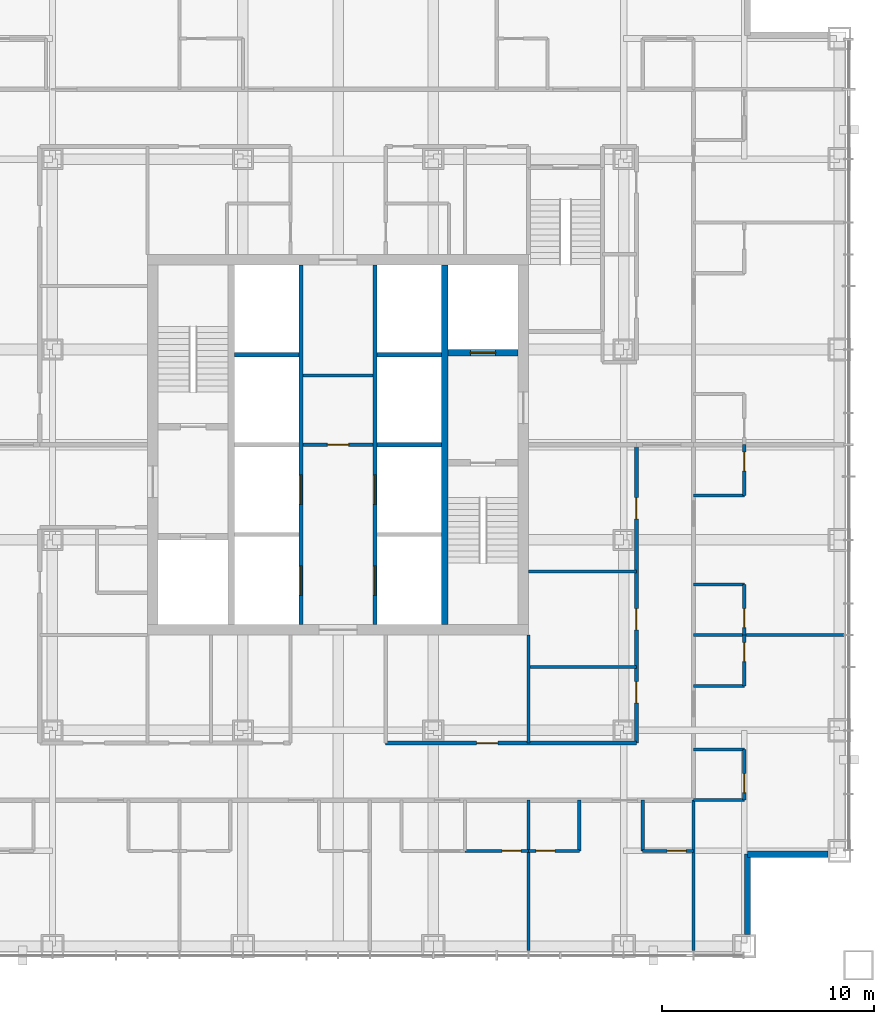
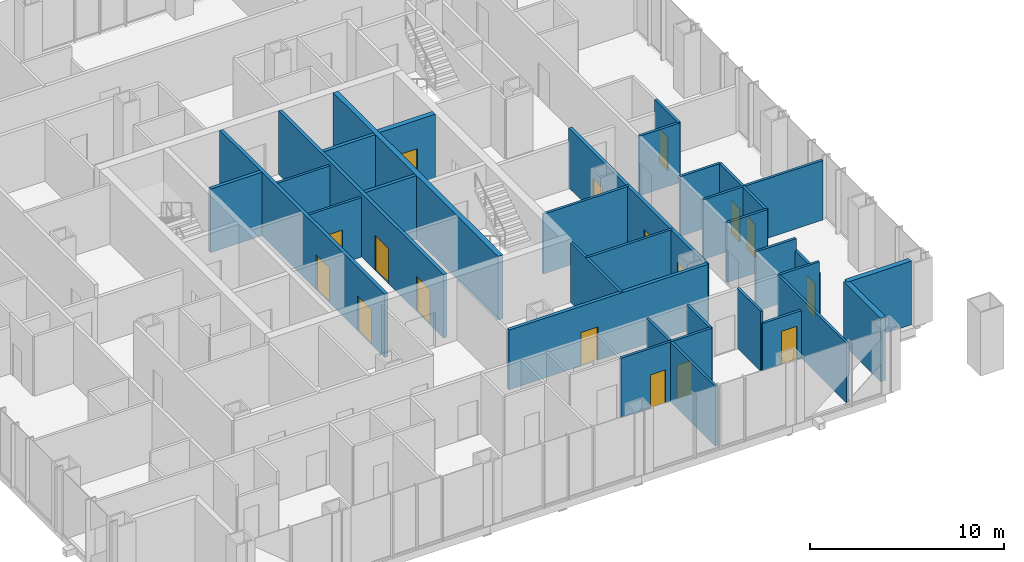
# One storey, part 10 of 18: 33 walls, 17 doors, 17 openings.
"""IFC4 building model written with IfcOpenShell, lengths in metres."""

from ifc_helpers import new_model, si_unit, direction, frame, frame_2d, origin, place, context, subcontext, project, spatial, rectangle, extrude, material, layer, layer_set, type_object, element, fill, save


model = new_model("IFC4")

# Units and contexts
model_context = context("Model", 3, precision=1e-05, world=origin(), true_north=direction((0.0, 1.0)))
body_context = subcontext(model_context, "Body", "Model", "MODEL_VIEW")
ifc_project = project(units=[si_unit("LENGTHUNIT", "METRE"), si_unit("AREAUNIT", "SQUARE_METRE"), si_unit("VOLUMEUNIT", "CUBIC_METRE"), si_unit("PLANEANGLEUNIT", "RADIAN"), si_unit("MASSUNIT", "GRAM", prefix="KILO")], contexts=[model_context])

# Site, building, storey
site_placement = place(None, origin())
site = spatial("IfcSite", under=ifc_project, at=site_placement, CompositionType="ELEMENT")
building_placement = place(site_placement, origin())
building = spatial("IfcBuilding", under=site, at=building_placement, Name="Malebo Sky Hospital", CompositionType="ELEMENT")
storey_placement = place(building_placement, frame((0.0, 0.0, 132.0)))
storey = spatial("IfcBuildingStorey", under=building, at=storey_placement, Name="L31", CompositionType="ELEMENT", Elevation=132.0)

# Wall, openings, doors
ifc_material_1 = material(Name="Concrete C80/95", Category="concrete")
ifc_layer_1 = layer(ifc_material_1, 0.199951171875)
ifc_layer_set_1 = layer_set([ifc_layer_1], Name="CORE INNER WALL 200")
wall_type_1 = type_object("IfcWallType", Name="CORE INNER WALL 200", PredefinedType="SHEAR", material=ifc_layer_set_1)
wall_1_placement = place(storey_placement, frame((58.25, 53.5, 0.0), z_axis=(0.0, 0.0, 1.0), x_axis=(0.0, 1.0, 0.0)))
wall_1 = element("IfcWall", 1, at=wall_1_placement, inside=storey, type_object=wall_type_1, Name="Core wall LW L31", PredefinedType="SHEAR", context=body_context, shape_type="SweptSolid", body=[
    extrude(rectangle(XDim=17.0, YDim=0.199951171875, at=frame_2d((8.5, 0.0))), origin(), (0.0, 0.0, 1.0), 4.0),
])
opening_1_placement = place(wall_1_placement, frame((1.375, 0.0, 0.0)))
opening_1 = element("IfcOpeningElement", 2, at=opening_1_placement, cuts=wall_1, Name="Opening LD1", PredefinedType="OPENING", context=body_context, shape_type="SweptSolid", body=[
    extrude(rectangle(XDim=1.39990234375, YDim=2.199951171875, at=frame_2d((0.699951171875, 1.10009765625))), frame((0.0, 0.10986328125, 0.0), z_axis=(0.0, -1.0, 0.0), x_axis=(1.0, 0.0, 0.0)), (0.0, 0.0, 1.0), 0.219970703125),
])
opening_2_placement = place(wall_1_placement, frame((5.675048828125, 0.0, 0.0)))
opening_2 = element("IfcOpeningElement", 3, at=opening_2_placement, cuts=wall_1, Name="Opening LD1", PredefinedType="OPENING", context=body_context, shape_type="SweptSolid", body=[
    extrude(rectangle(XDim=1.39990234375, YDim=2.199951171875, at=frame_2d((0.699951171875, 1.10009765625))), frame((0.0, 0.10986328125, 0.0), z_axis=(0.0, -1.0, 0.0), x_axis=(1.0, 0.0, 0.0)), (0.0, 0.0, 1.0), 0.219970703125),
])
ifc_material_2 = material(Name="Stainless steel sliding landing door", Category="steel")
door_type_1 = type_object("IfcDoorType", Name="LIFT LANDING DOOR 1400", OperationType="SLIDING_TO_LEFT", PredefinedType="DOOR", material=ifc_material_2)
door_1_placement = place(opening_1_placement, origin())
door_1 = element("IfcDoor", 4, at=door_1_placement, inside=storey, type_object=door_type_1, Name="Lift W1 landing door", OperationType="SLIDING_TO_LEFT", OverallHeight=2.199951171875, OverallWidth=1.39990234375, PredefinedType="DOOR", context=body_context, shape_type="SweptSolid", body=[
    extrude(rectangle(XDim=1.39990234375, YDim=2.199951171875, at=frame_2d((0.699951171875, 1.10009765625))), frame((0.0, 0.02490234375, 0.0), z_axis=(0.0, -1.0, 0.0), x_axis=(1.0, 0.0, 0.0)), (0.0, 0.0, 1.0), 0.050048828125),
])
fill(opening_1, door_1)
door_2_placement = place(opening_2_placement, origin())
door_2 = element("IfcDoor", 5, at=door_2_placement, inside=storey, type_object=door_type_1, Name="Lift W2 landing door", OperationType="SLIDING_TO_LEFT", OverallHeight=2.199951171875, OverallWidth=1.39990234375, PredefinedType="DOOR", context=body_context, shape_type="SweptSolid", body=[
    extrude(rectangle(XDim=1.39990234375, YDim=2.199951171875, at=frame_2d((0.699951171875, 1.10009765625))), frame((0.0, 0.02490234375, 0.0), z_axis=(0.0, -1.0, 0.0), x_axis=(1.0, 0.0, 0.0)), (0.0, 0.0, 1.0), 0.050048828125),
])
fill(opening_2, door_2)

wall_2_placement = place(storey_placement, frame((61.75, 53.5, 0.0), z_axis=(0.0, 0.0, 1.0), x_axis=(0.0, 1.0, 0.0)))
wall_2 = element("IfcWall", 6, at=wall_2_placement, inside=storey, type_object=wall_type_1, Name="Core wall LE L31", PredefinedType="SHEAR", context=body_context, shape_type="SweptSolid", body=[
    extrude(rectangle(XDim=17.0, YDim=0.199951171875, at=frame_2d((8.5, 0.0))), origin(), (0.0, 0.0, 1.0), 4.0),
])
opening_3_placement = place(wall_2_placement, frame((1.375, 0.0, 0.0)))
opening_3 = element("IfcOpeningElement", 7, at=opening_3_placement, cuts=wall_2, Name="Opening LD1", PredefinedType="OPENING", context=body_context, shape_type="SweptSolid", body=[
    extrude(rectangle(XDim=1.39990234375, YDim=2.199951171875, at=frame_2d((0.699951171875, 1.10009765625))), frame((0.0, 0.10986328125, 0.0), z_axis=(0.0, -1.0, 0.0), x_axis=(1.0, 0.0, 0.0)), (0.0, 0.0, 1.0), 0.219970703125),
])
opening_4_placement = place(wall_2_placement, frame((5.675048828125, 0.0, 0.0)))
opening_4 = element("IfcOpeningElement", 8, at=opening_4_placement, cuts=wall_2, Name="Opening LD1", PredefinedType="OPENING", context=body_context, shape_type="SweptSolid", body=[
    extrude(rectangle(XDim=1.39990234375, YDim=2.199951171875, at=frame_2d((0.699951171875, 1.10009765625))), frame((0.0, 0.10986328125, 0.0), z_axis=(0.0, -1.0, 0.0), x_axis=(1.0, 0.0, 0.0)), (0.0, 0.0, 1.0), 0.219970703125),
])
door_3_placement = place(opening_3_placement, origin())
door_3 = element("IfcDoor", 9, at=door_3_placement, inside=storey, type_object=door_type_1, Name="Lift E1 landing door", OperationType="SLIDING_TO_LEFT", OverallHeight=2.199951171875, OverallWidth=1.39990234375, PredefinedType="DOOR", context=body_context, shape_type="SweptSolid", body=[
    extrude(rectangle(XDim=1.39990234375, YDim=2.199951171875, at=frame_2d((0.699951171875, 1.10009765625))), frame((0.0, 0.02490234375, 0.0), z_axis=(0.0, -1.0, 0.0), x_axis=(1.0, 0.0, 0.0)), (0.0, 0.0, 1.0), 0.050048828125),
])
fill(opening_3, door_3)
door_4_placement = place(opening_4_placement, origin())
door_4 = element("IfcDoor", 10, at=door_4_placement, inside=storey, type_object=door_type_1, Name="Lift E2 landing door", OperationType="SLIDING_TO_LEFT", OverallHeight=2.199951171875, OverallWidth=1.39990234375, PredefinedType="DOOR", context=body_context, shape_type="SweptSolid", body=[
    extrude(rectangle(XDim=1.39990234375, YDim=2.199951171875, at=frame_2d((0.699951171875, 1.10009765625))), frame((0.0, 0.02490234375, 0.0), z_axis=(0.0, -1.0, 0.0), x_axis=(1.0, 0.0, 0.0)), (0.0, 0.0, 1.0), 0.050048828125),
])
fill(opening_4, door_4)

# Walls
for number, where, z_axis, x_axis, name in (
    (11, (61.85009765625, 62.0, 0.0), (0.0, 0.0, 1.0), (1.0, 0.0, 0.0), "Core wall SE1 L31"),
    (12, (55.10009765625, 66.25, 0.0), (0.0, 0.0, 1.0), (1.0, 0.0, 0.0), "Core wall SW2 L31"),
    (13, (61.85009765625, 66.25, 0.0), (0.0, 0.0, 1.0), (1.0, 0.0, 0.0), "Core wall SE2 L31"),
):
    element("IfcWall", number, at=place(storey_placement, frame(where, z_axis=z_axis, x_axis=x_axis)), inside=storey, type_object=wall_type_1, Name=name, PredefinedType="SHEAR", context=body_context, shape_type="SweptSolid", body=[
        extrude(rectangle(XDim=3.0498046875, YDim=0.199951171875, at=frame_2d((1.52490234375, 0.0))), origin(), (0.0, 0.0, 1.0), 4.0),
    ])
ifc_layer_2 = layer(ifc_material_1, 0.300048828125)
ifc_layer_set_2 = layer_set([ifc_layer_2], Name="CORE INNER WALL 300")
wall_type_2 = type_object("IfcWallType", Name="CORE INNER WALL 300", PredefinedType="SHEAR", material=ifc_layer_set_2)
wall_3_placement = place(storey_placement, frame((65.050048828125, 53.5, 0.0), z_axis=(0.0, 0.0, 1.0), x_axis=(0.0, 1.0, 0.0)))
element("IfcWall", 14, at=wall_3_placement, inside=storey, type_object=wall_type_2, Name="Core wall XE L31", PredefinedType="SHEAR", context=body_context, shape_type="SweptSolid", body=[
    extrude(rectangle(XDim=17.0, YDim=0.300048828125, at=frame_2d((8.5, 0.0))), origin(), (0.0, 0.0, 1.0), 4.0),
])

# Wall, opening, door
wall_4_placement = place(storey_placement, frame((65.199951171875, 66.35009765625, 0.0), z_axis=(0.0, 0.0, 1.0), x_axis=(1.0, 0.0, 0.0)))
wall_4 = element("IfcWall", 15, at=wall_4_placement, inside=storey, type_object=wall_type_2, Name="Core wall E2 L31", PredefinedType="SHEAR", context=body_context, shape_type="SweptSolid", body=[
    extrude(rectangle(XDim=3.300048828125, YDim=0.300048828125, at=frame_2d((1.64990234375, 0.0))), origin(), (0.0, 0.0, 1.0), 4.0),
])
opening_5_placement = place(wall_4_placement, frame((1.050048828125, 0.0, 0.0)))
opening_5 = element("IfcOpeningElement", 16, at=opening_5_placement, cuts=wall_4, Name="Opening LD2", PredefinedType="OPENING", context=body_context, shape_type="SweptSolid", body=[
    extrude(rectangle(XDim=1.199951171875, YDim=2.199951171875, at=frame_2d((0.60009765625, 1.10009765625))), frame((0.0, 0.159912109375, 0.0), z_axis=(0.0, -1.0, 0.0), x_axis=(1.0, 0.0, 0.0)), (0.0, 0.0, 1.0), 0.320068359375),
])
door_type_2 = type_object("IfcDoorType", Name="FIRE-FIGHTING LIFT LANDING DOOR 1200", OperationType="SLIDING_TO_LEFT", PredefinedType="DOOR", material=ifc_material_2)
door_5_placement = place(opening_5_placement, origin())
door_5 = element("IfcDoor", 17, at=door_5_placement, inside=storey, type_object=door_type_2, Name="Lift FL2 landing door", OperationType="SLIDING_TO_LEFT", OverallHeight=2.199951171875, OverallWidth=1.199951171875, PredefinedType="DOOR", context=body_context, shape_type="SweptSolid", body=[
    extrude(rectangle(XDim=1.199951171875, YDim=2.199951171875, at=frame_2d((0.60009765625, 1.10009765625))), frame((0.0, 0.02490234375, 0.0), z_axis=(0.0, -1.0, 0.0), x_axis=(1.0, 0.0, 0.0)), (0.0, 0.0, 1.0), 0.050048828125),
])
fill(opening_5, door_5)

ifc_material_3 = material(Name="Gypsum board on steel studs", Category="steel")
ifc_layer_3 = layer(ifc_material_3, 0.199951171875)
ifc_layer_set_3 = layer_set([ifc_layer_3], Name="CORRIDOR WALL 200")
wall_type_3 = type_object("IfcWallType", Name="CORRIDOR WALL 200", PredefinedType="PARTITIONING", material=ifc_layer_set_3)
wall_5_placement = place(storey_placement, frame((74.10009765625, 47.89990234375, 0.0), z_axis=(0.0, 0.0, 1.0), x_axis=(-1.0, 0.0, 0.0)))
wall_5 = element("IfcWall", 18, at=wall_5_placement, inside=storey, type_object=wall_type_3, Name="Corridor Wall 200 SCI1", PredefinedType="PARTITIONING", context=body_context, shape_type="SweptSolid", body=[
    extrude(rectangle(XDim=11.85009765625, YDim=0.199951171875, at=frame_2d((5.925048828125, 0.0))), origin(), (0.0, 0.0, 1.0), 3.75),
])
opening_6_placement = place(wall_5_placement, frame((6.550048828125, 0.0, 0.0)))
opening_6 = element("IfcOpeningElement", 19, at=opening_6_placement, cuts=wall_5, Name="Opening D03", PredefinedType="OPENING", context=body_context, shape_type="SweptSolid", body=[
    extrude(rectangle(XDim=1.0, YDim=2.10009765625, at=frame_2d((0.5, 1.050048828125))), frame((0.0, 0.10986328125, 0.0), z_axis=(0.0, -1.0, 0.0), x_axis=(1.0, 0.0, 0.0)), (0.0, 0.0, 1.0), 0.219970703125),
])
ifc_material_4 = material(Name="Hardwood-faced door leaf in steel frame", Category="steel")
door_type_3 = type_object("IfcDoorType", Name="ROOM DOOR 1000", OperationType="SINGLE_SWING_LEFT", PredefinedType="DOOR", material=ifc_material_4)
door_6_placement = place(opening_6_placement, origin())
door_6 = element("IfcDoor", 20, at=door_6_placement, inside=storey, type_object=door_type_3, Name="Staff rest room door", OperationType="SINGLE_SWING_LEFT", OverallHeight=2.10009765625, OverallWidth=1.0, PredefinedType="DOOR", context=body_context, shape_type="SweptSolid", body=[
    extrude(rectangle(XDim=1.0, YDim=2.10009765625, at=frame_2d((0.5, 1.050048828125))), frame((0.0, 0.02490234375, 0.0), z_axis=(0.0, -1.0, 0.0), x_axis=(1.0, 0.0, 0.0)), (0.0, 0.0, 1.0), 0.050048828125),
])
fill(opening_6, door_6)

# Wall, openings, doors
wall_6_placement = place(storey_placement, frame((74.10009765625, 62.0, 0.0), z_axis=(0.0, 0.0, 1.0), x_axis=(0.0, -1.0, 0.0)))
wall_6 = element("IfcWall", 21, at=wall_6_placement, inside=storey, type_object=wall_type_3, Name="Corridor Wall 200 ECI2", PredefinedType="PARTITIONING", context=body_context, shape_type="SweptSolid", body=[
    extrude(rectangle(XDim=14.10009765625, YDim=0.199951171875, at=frame_2d((7.050048828125, 0.0))), origin(), (0.0, 0.0, 1.0), 3.75),
])
opening_7_placement = place(wall_6_placement, frame((2.5, 0.0, 0.0)))
opening_7 = element("IfcOpeningElement", 22, at=opening_7_placement, cuts=wall_6, Name="Opening D03", PredefinedType="OPENING", context=body_context, shape_type="SweptSolid", body=[
    extrude(rectangle(XDim=1.0, YDim=2.10009765625, at=frame_2d((0.5, 1.050048828125))), frame((0.0, 0.10986328125, 0.0), z_axis=(0.0, -1.0, 0.0), x_axis=(1.0, 0.0, 0.0)), (0.0, 0.0, 1.0), 0.219970703125),
])
opening_8_placement = place(wall_6_placement, frame((7.75, 0.0, 0.0)))
opening_8 = element("IfcOpeningElement", 23, at=opening_8_placement, cuts=wall_6, Name="Opening D03", PredefinedType="OPENING", context=body_context, shape_type="SweptSolid", body=[
    extrude(rectangle(XDim=1.0, YDim=2.10009765625, at=frame_2d((0.5, 1.050048828125))), frame((0.0, 0.10986328125, 0.0), z_axis=(0.0, -1.0, 0.0), x_axis=(1.0, 0.0, 0.0)), (0.0, 0.0, 1.0), 0.219970703125),
])
opening_9_placement = place(wall_6_placement, frame((11.199951171875, 0.0, 0.0)))
opening_9 = element("IfcOpeningElement", 24, at=opening_9_placement, cuts=wall_6, Name="Opening D03", PredefinedType="OPENING", context=body_context, shape_type="SweptSolid", body=[
    extrude(rectangle(XDim=1.0, YDim=2.10009765625, at=frame_2d((0.5, 1.050048828125))), frame((0.0, 0.10986328125, 0.0), z_axis=(0.0, -1.0, 0.0), x_axis=(1.0, 0.0, 0.0)), (0.0, 0.0, 1.0), 0.219970703125),
])
door_7_placement = place(opening_7_placement, origin())
door_7 = element("IfcDoor", 25, at=door_7_placement, inside=storey, type_object=door_type_3, Name="Water treatment plant room door", OperationType="SINGLE_SWING_LEFT", OverallHeight=2.10009765625, OverallWidth=1.0, PredefinedType="DOOR", context=body_context, shape_type="SweptSolid", body=[
    extrude(rectangle(XDim=1.0, YDim=2.10009765625, at=frame_2d((0.5, 1.050048828125))), frame((0.0, 0.02490234375, 0.0), z_axis=(0.0, -1.0, 0.0), x_axis=(1.0, 0.0, 0.0)), (0.0, 0.0, 1.0), 0.050048828125),
])
fill(opening_7, door_7)
door_8_placement = place(opening_8_placement, origin())
door_8 = element("IfcDoor", 26, at=door_8_placement, inside=storey, type_object=door_type_3, Name="Staff base door", OperationType="SINGLE_SWING_LEFT", OverallHeight=2.10009765625, OverallWidth=1.0, PredefinedType="DOOR", context=body_context, shape_type="SweptSolid", body=[
    extrude(rectangle(XDim=1.0, YDim=2.10009765625, at=frame_2d((0.5, 1.050048828125))), frame((0.0, 0.02490234375, 0.0), z_axis=(0.0, -1.0, 0.0), x_axis=(1.0, 0.0, 0.0)), (0.0, 0.0, 1.0), 0.050048828125),
])
fill(opening_8, door_8)
door_9_placement = place(opening_9_placement, origin())
door_9 = element("IfcDoor", 27, at=door_9_placement, inside=storey, type_object=door_type_3, Name="Dirty utility room door", OperationType="SINGLE_SWING_LEFT", OverallHeight=2.10009765625, OverallWidth=1.0, PredefinedType="DOOR", context=body_context, shape_type="SweptSolid", body=[
    extrude(rectangle(XDim=1.0, YDim=2.10009765625, at=frame_2d((0.5, 1.050048828125))), frame((0.0, 0.02490234375, 0.0), z_axis=(0.0, -1.0, 0.0), x_axis=(1.0, 0.0, 0.0)), (0.0, 0.0, 1.0), 0.050048828125),
])
fill(opening_9, door_9)

# Walls
ifc_material_5 = material(Name="Anodised aluminium rainscreen on steel framing", Category="steel")
ifc_layer_4 = layer(ifc_material_5, 0.300048828125)
ifc_layer_set_4 = layer_set([ifc_layer_4], Name="NOTCH RAINSCREEN WALL 300")
wall_type_4 = type_object("IfcWallType", Name="NOTCH RAINSCREEN WALL 300", PredefinedType="ELEMENTEDWALL", material=ifc_layer_set_4)
for number, where, z_axis, x_axis, name in (
    (28, (83.14990234375, 42.64990234375, 0.0), (0.0, 0.0, 1.0), (-1.0, 0.0, 0.0), "Notch rainscreen wall E1 L31"),
    (29, (79.35009765625, 42.64990234375, 0.0), (0.0, 0.0, 1.0), (0.0, -1.0, 0.0), "Notch rainscreen wall E2 L31"),
):
    element("IfcWall", number, at=place(storey_placement, frame(where, z_axis=z_axis, x_axis=x_axis)), inside=storey, type_object=wall_type_4, Name=name, PredefinedType="ELEMENTEDWALL", context=body_context, shape_type="SweptSolid", body=[
        extrude(rectangle(XDim=3.7998046875, YDim=0.300048828125, at=frame_2d((1.89990234375, 0.0))), origin(), (0.0, 0.0, 1.0), 4.0),
    ])
ifc_layer_5 = layer(ifc_material_3, 0.14990234375)
ifc_layer_set_5 = layer_set([ifc_layer_5], Name="PARTITION 150")
wall_type_5 = type_object("IfcWallType", Name="PARTITION 150", PredefinedType="PARTITIONING", material=ifc_layer_set_5)
for number, where, z_axis, x_axis, name in (
    (30, (69.0, 45.199951171875, 0.0), (0.0, 0.0, 1.0), (0.0, -1.0, 0.0), "Partition 150 SP-9.0"),
    (31, (76.800048828125, 45.199951171875, 0.0), (0.0, 0.0, 1.0), (0.0, -1.0, 0.0), "Partition 150 SP0"),
):
    element("IfcWall", number, at=place(storey_placement, frame(where, z_axis=z_axis, x_axis=x_axis)), inside=storey, type_object=wall_type_5, Name=name, PredefinedType="PARTITIONING", context=body_context, shape_type="SweptSolid", body=[
        extrude(rectangle(XDim=7.10986328125, YDim=0.14990234375, at=frame_2d((3.554931640625, 0.0))), origin(), (0.0, 0.0, 1.0), 3.75),
    ])

# Wall, opening, door
wall_7_placement = place(storey_placement, frame((76.800048828125, 42.800048828125, 0.0), z_axis=(0.0, 0.0, 1.0), x_axis=(-1.0, 0.0, 0.0)))
wall_7 = element("IfcWall", 32, at=wall_7_placement, inside=storey, type_object=wall_type_5, Name="Partition 150 SE0F", PredefinedType="PARTITIONING", context=body_context, shape_type="SweptSolid", body=[
    extrude(rectangle(XDim=2.400146484375, YDim=0.14990234375, at=frame_2d((1.2001953125, 0.0))), origin(), (0.0, 0.0, 1.0), 2.9970703125),
])
opening_10_placement = place(wall_7_placement, frame((0.35009765625, 0.0, 0.0)))
opening_10 = element("IfcOpeningElement", 33, at=opening_10_placement, cuts=wall_7, Name="Opening D02", PredefinedType="OPENING", context=body_context, shape_type="SweptSolid", body=[
    extrude(rectangle(XDim=0.89990234375, YDim=2.10009765625, at=frame_2d((0.449951171875, 1.050048828125))), frame((0.0, 0.0849609375, 0.0), z_axis=(0.0, -1.0, 0.0), x_axis=(1.0, 0.0, 0.0)), (0.0, 0.0, 1.0), 0.169921875),
])
door_type_4 = type_object("IfcDoorType", Name="EN-SUITE DOOR 900", OperationType="SINGLE_SWING_LEFT", PredefinedType="DOOR", material=ifc_material_4)
door_10_placement = place(opening_10_placement, origin())
door_10 = element("IfcDoor", 34, at=door_10_placement, inside=storey, type_object=door_type_4, Name="En-suite door", OperationType="SINGLE_SWING_LEFT", OverallHeight=2.10009765625, OverallWidth=0.89990234375, PredefinedType="DOOR", context=body_context, shape_type="SweptSolid", body=[
    extrude(rectangle(XDim=0.89990234375, YDim=2.10009765625, at=frame_2d((0.449951171875, 1.050048828125))), frame((0.0, 0.02490234375, 0.0), z_axis=(0.0, -1.0, 0.0), x_axis=(1.0, 0.0, 0.0)), (0.0, 0.0, 1.0), 0.050048828125),
])
fill(opening_10, door_10)

# Wall
wall_8_placement = place(storey_placement, frame((74.39990234375, 45.199951171875, 0.0), z_axis=(0.0, 0.0, 1.0), x_axis=(0.0, -1.0, 0.0)))
element("IfcWall", 35, at=wall_8_placement, inside=storey, type_object=wall_type_5, Name="Partition 150 SE0S", PredefinedType="PARTITIONING", context=body_context, shape_type="SweptSolid", body=[
    extrude(rectangle(XDim=2.39990234375, YDim=0.14990234375, at=frame_2d((1.199951171875, 0.0))), origin(), (0.0, 0.0, 1.0), 3.75),
])

# Wall, opening, door
wall_9_placement = place(storey_placement, frame((71.39990234375, 42.800048828125, 0.0), z_axis=(0.0, 0.0, 1.0), x_axis=(-1.0, 0.0, 0.0)))
wall_9 = element("IfcWall", 36, at=wall_9_placement, inside=storey, type_object=wall_type_5, Name="Partition 150 SG0F", PredefinedType="PARTITIONING", context=body_context, shape_type="SweptSolid", body=[
    extrude(rectangle(XDim=2.39990234375, YDim=0.14990234375, at=frame_2d((1.199951171875, 0.0))), origin(), (0.0, 0.0, 1.0), 3.75),
])
opening_11_placement = place(wall_9_placement, frame((1.14990234375, 0.0, 0.0)))
opening_11 = element("IfcOpeningElement", 37, at=opening_11_placement, cuts=wall_9, Name="Opening D02", PredefinedType="OPENING", context=body_context, shape_type="SweptSolid", body=[
    extrude(rectangle(XDim=0.89990234375, YDim=2.10009765625, at=frame_2d((0.449951171875, 1.050048828125))), frame((0.0, 0.0849609375, 0.0), z_axis=(0.0, -1.0, 0.0), x_axis=(1.0, 0.0, 0.0)), (0.0, 0.0, 1.0), 0.169921875),
])
door_11_placement = place(opening_11_placement, origin())
door_11 = element("IfcDoor", 38, at=door_11_placement, inside=storey, type_object=door_type_4, Name="En-suite door", OperationType="SINGLE_SWING_RIGHT", OverallHeight=2.10009765625, OverallWidth=0.89990234375, PredefinedType="DOOR", context=body_context, shape_type="SweptSolid", body=[
    extrude(rectangle(XDim=0.89990234375, YDim=2.10009765625, at=frame_2d((0.449951171875, 1.050048828125))), frame((0.0, 0.02490234375, 0.0), z_axis=(0.0, -1.0, 0.0), x_axis=(1.0, 0.0, 0.0)), (0.0, 0.0, 1.0), 0.050048828125),
])
fill(opening_11, door_11)

# Wall
wall_10_placement = place(storey_placement, frame((71.39990234375, 45.199951171875, 0.0), z_axis=(0.0, 0.0, 1.0), x_axis=(0.0, -1.0, 0.0)))
element("IfcWall", 39, at=wall_10_placement, inside=storey, type_object=wall_type_5, Name="Partition 150 SG0S", PredefinedType="PARTITIONING", context=body_context, shape_type="SweptSolid", body=[
    extrude(rectangle(XDim=2.39990234375, YDim=0.14990234375, at=frame_2d((1.199951171875, 0.0))), origin(), (0.0, 0.0, 1.0), 3.75),
])

# Wall, opening, door
wall_11_placement = place(storey_placement, frame((69.0, 42.800048828125, 0.0), z_axis=(0.0, 0.0, 1.0), x_axis=(-1.0, 0.0, 0.0)))
wall_11 = element("IfcWall", 40, at=wall_11_placement, inside=storey, type_object=wall_type_5, Name="Partition 150 SE1F", PredefinedType="PARTITIONING", context=body_context, shape_type="SweptSolid", body=[
    extrude(rectangle(XDim=3.0, YDim=0.14990234375, at=frame_2d((1.5, 0.0))), origin(), (0.0, 0.0, 1.0), 3.75),
])
opening_12_placement = place(wall_11_placement, frame((0.35009765625, 0.0, 0.0)))
opening_12 = element("IfcOpeningElement", 41, at=opening_12_placement, cuts=wall_11, Name="Opening D02", PredefinedType="OPENING", context=body_context, shape_type="SweptSolid", body=[
    extrude(rectangle(XDim=0.89990234375, YDim=2.10009765625, at=frame_2d((0.449951171875, 1.050048828125))), frame((0.0, 0.0849609375, 0.0), z_axis=(0.0, -1.0, 0.0), x_axis=(1.0, 0.0, 0.0)), (0.0, 0.0, 1.0), 0.169921875),
])
door_12_placement = place(opening_12_placement, origin())
door_12 = element("IfcDoor", 42, at=door_12_placement, inside=storey, type_object=door_type_4, Name="En-suite door", OperationType="SINGLE_SWING_LEFT", OverallHeight=2.10009765625, OverallWidth=0.89990234375, PredefinedType="DOOR", context=body_context, shape_type="SweptSolid", body=[
    extrude(rectangle(XDim=0.89990234375, YDim=2.10009765625, at=frame_2d((0.449951171875, 1.050048828125))), frame((0.0, 0.02490234375, 0.0), z_axis=(0.0, -1.0, 0.0), x_axis=(1.0, 0.0, 0.0)), (0.0, 0.0, 1.0), 0.050048828125),
])
fill(opening_12, door_12)

# Walls
wall_12_placement = place(storey_placement, frame((69.0, 53.0, 0.0), z_axis=(0.0, 0.0, 1.0), x_axis=(0.0, -1.0, 0.0)))
element("IfcWall", 43, at=wall_12_placement, inside=storey, type_object=wall_type_5, Name="Partition 150 SSP0", PredefinedType="PARTITIONING", context=body_context, shape_type="SweptSolid", body=[
    extrude(rectangle(XDim=5.10009765625, YDim=0.14990234375, at=frame_2d((2.550048828125, 0.0))), origin(), (0.0, 0.0, 1.0), 3.75),
])
wall_13_placement = place(storey_placement, frame((76.800048828125, 53.0, 0.0), z_axis=(0.0, 0.0, 1.0), x_axis=(1.0, 0.0, 0.0)))
element("IfcWall", 44, at=wall_13_placement, inside=storey, type_object=wall_type_5, Name="Partition 150 EP+9.0", PredefinedType="PARTITIONING", context=body_context, shape_type="SweptSolid", body=[
    extrude(rectangle(XDim=7.10986328125, YDim=0.14990234375, at=frame_2d((3.554931640625, 0.0))), origin(), (0.0, 0.0, 1.0), 3.75),
])

# Wall, opening, door
wall_14_placement = place(storey_placement, frame((79.199951171875, 62.0, 0.0), z_axis=(0.0, 0.0, 1.0), x_axis=(0.0, -1.0, 0.0)))
wall_14 = element("IfcWall", 45, at=wall_14_placement, inside=storey, type_object=wall_type_5, Name="Partition 150 EE2F", PredefinedType="PARTITIONING", context=body_context, shape_type="SweptSolid", body=[
    extrude(rectangle(XDim=2.39990234375, YDim=0.14990234375, at=frame_2d((1.199951171875, 0.0))), origin(), (0.0, 0.0, 1.0), 3.75),
])
opening_13_placement = place(wall_14_placement, frame((0.35009765625, 0.0, 0.0)))
opening_13 = element("IfcOpeningElement", 46, at=opening_13_placement, cuts=wall_14, Name="Opening D02", PredefinedType="OPENING", context=body_context, shape_type="SweptSolid", body=[
    extrude(rectangle(XDim=0.89990234375, YDim=2.10009765625, at=frame_2d((0.449951171875, 1.050048828125))), frame((0.0, 0.0849609375, 0.0), z_axis=(0.0, -1.0, 0.0), x_axis=(1.0, 0.0, 0.0)), (0.0, 0.0, 1.0), 0.169921875),
])
door_13_placement = place(opening_13_placement, origin())
door_13 = element("IfcDoor", 47, at=door_13_placement, inside=storey, type_object=door_type_4, Name="En-suite door", OperationType="SINGLE_SWING_LEFT", OverallHeight=2.10009765625, OverallWidth=0.89990234375, PredefinedType="DOOR", context=body_context, shape_type="SweptSolid", body=[
    extrude(rectangle(XDim=0.89990234375, YDim=2.10009765625, at=frame_2d((0.449951171875, 1.050048828125))), frame((0.0, 0.02490234375, 0.0), z_axis=(0.0, -1.0, 0.0), x_axis=(1.0, 0.0, 0.0)), (0.0, 0.0, 1.0), 0.050048828125),
])
fill(opening_13, door_13)

# Wall
wall_15_placement = place(storey_placement, frame((76.800048828125, 59.60009765625, 0.0), z_axis=(0.0, 0.0, 1.0), x_axis=(1.0, 0.0, 0.0)))
element("IfcWall", 48, at=wall_15_placement, inside=storey, type_object=wall_type_5, Name="Partition 150 EE2S", PredefinedType="PARTITIONING", context=body_context, shape_type="SweptSolid", body=[
    extrude(rectangle(XDim=2.39990234375, YDim=0.14990234375, at=frame_2d((1.199951171875, 0.0))), origin(), (0.0, 0.0, 1.0), 3.75),
])

# Wall, opening, door
wall_16_placement = place(storey_placement, frame((79.199951171875, 55.39990234375, 0.0), z_axis=(0.0, 0.0, 1.0), x_axis=(0.0, -1.0, 0.0)))
wall_16 = element("IfcWall", 49, at=wall_16_placement, inside=storey, type_object=wall_type_5, Name="Partition 150 EG2F", PredefinedType="PARTITIONING", context=body_context, shape_type="SweptSolid", body=[
    extrude(rectangle(XDim=2.39990234375, YDim=0.14990234375, at=frame_2d((1.199951171875, 0.0))), origin(), (0.0, 0.0, 1.0), 3.75),
])
opening_14_placement = place(wall_16_placement, frame((1.14990234375, 0.0, 0.0)))
opening_14 = element("IfcOpeningElement", 50, at=opening_14_placement, cuts=wall_16, Name="Opening D02", PredefinedType="OPENING", context=body_context, shape_type="SweptSolid", body=[
    extrude(rectangle(XDim=0.89990234375, YDim=2.10009765625, at=frame_2d((0.449951171875, 1.050048828125))), frame((0.0, 0.0849609375, 0.0), z_axis=(0.0, -1.0, 0.0), x_axis=(1.0, 0.0, 0.0)), (0.0, 0.0, 1.0), 0.169921875),
])
door_14_placement = place(opening_14_placement, origin())
door_14 = element("IfcDoor", 51, at=door_14_placement, inside=storey, type_object=door_type_4, Name="En-suite door", OperationType="SINGLE_SWING_RIGHT", OverallHeight=2.10009765625, OverallWidth=0.89990234375, PredefinedType="DOOR", context=body_context, shape_type="SweptSolid", body=[
    extrude(rectangle(XDim=0.89990234375, YDim=2.10009765625, at=frame_2d((0.449951171875, 1.050048828125))), frame((0.0, 0.02490234375, 0.0), z_axis=(0.0, -1.0, 0.0), x_axis=(1.0, 0.0, 0.0)), (0.0, 0.0, 1.0), 0.050048828125),
])
fill(opening_14, door_14)

# Wall
wall_17_placement = place(storey_placement, frame((76.800048828125, 55.39990234375, 0.0), z_axis=(0.0, 0.0, 1.0), x_axis=(1.0, 0.0, 0.0)))
element("IfcWall", 52, at=wall_17_placement, inside=storey, type_object=wall_type_5, Name="Partition 150 EG2S", PredefinedType="PARTITIONING", context=body_context, shape_type="SweptSolid", body=[
    extrude(rectangle(XDim=2.39990234375, YDim=0.14990234375, at=frame_2d((1.199951171875, 0.0))), origin(), (0.0, 0.0, 1.0), 3.75),
])

# Wall, opening, door
wall_18_placement = place(storey_placement, frame((79.199951171875, 53.0, 0.0), z_axis=(0.0, 0.0, 1.0), x_axis=(0.0, -1.0, 0.0)))
wall_18 = element("IfcWall", 53, at=wall_18_placement, inside=storey, type_object=wall_type_5, Name="Partition 150 EE3F", PredefinedType="PARTITIONING", context=body_context, shape_type="SweptSolid", body=[
    extrude(rectangle(XDim=2.39990234375, YDim=0.14990234375, at=frame_2d((1.199951171875, 0.0))), origin(), (0.0, 0.0, 1.0), 3.75),
])
opening_15_placement = place(wall_18_placement, frame((0.35009765625, 0.0, 0.0)))
opening_15 = element("IfcOpeningElement", 54, at=opening_15_placement, cuts=wall_18, Name="Opening D02", PredefinedType="OPENING", context=body_context, shape_type="SweptSolid", body=[
    extrude(rectangle(XDim=0.89990234375, YDim=2.10009765625, at=frame_2d((0.449951171875, 1.050048828125))), frame((0.0, 0.0849609375, 0.0), z_axis=(0.0, -1.0, 0.0), x_axis=(1.0, 0.0, 0.0)), (0.0, 0.0, 1.0), 0.169921875),
])
door_15_placement = place(opening_15_placement, origin())
door_15 = element("IfcDoor", 55, at=door_15_placement, inside=storey, type_object=door_type_4, Name="En-suite door", OperationType="SINGLE_SWING_LEFT", OverallHeight=2.10009765625, OverallWidth=0.89990234375, PredefinedType="DOOR", context=body_context, shape_type="SweptSolid", body=[
    extrude(rectangle(XDim=0.89990234375, YDim=2.10009765625, at=frame_2d((0.449951171875, 1.050048828125))), frame((0.0, 0.02490234375, 0.0), z_axis=(0.0, -1.0, 0.0), x_axis=(1.0, 0.0, 0.0)), (0.0, 0.0, 1.0), 0.050048828125),
])
fill(opening_15, door_15)

# Wall
wall_19_placement = place(storey_placement, frame((76.800048828125, 50.60009765625, 0.0), z_axis=(0.0, 0.0, 1.0), x_axis=(1.0, 0.0, 0.0)))
element("IfcWall", 56, at=wall_19_placement, inside=storey, type_object=wall_type_5, Name="Partition 150 EE3S", PredefinedType="PARTITIONING", context=body_context, shape_type="SweptSolid", body=[
    extrude(rectangle(XDim=2.39990234375, YDim=0.14990234375, at=frame_2d((1.199951171875, 0.0))), origin(), (0.0, 0.0, 1.0), 3.75),
])

# Wall, opening, door
wall_20_placement = place(storey_placement, frame((79.199951171875, 47.60009765625, 0.0), z_axis=(0.0, 0.0, 1.0), x_axis=(0.0, -1.0, 0.0)))
wall_20 = element("IfcWall", 57, at=wall_20_placement, inside=storey, type_object=wall_type_5, Name="Partition 150 EG3F", PredefinedType="PARTITIONING", context=body_context, shape_type="SweptSolid", body=[
    extrude(rectangle(XDim=2.400146484375, YDim=0.14990234375, at=frame_2d((1.2001953125, 0.0))), origin(), (0.0, 0.0, 1.0), 2.9970703125),
])
opening_16_placement = place(wall_20_placement, frame((1.14990234375, 0.0, 0.0)))
opening_16 = element("IfcOpeningElement", 58, at=opening_16_placement, cuts=wall_20, Name="Opening D02", PredefinedType="OPENING", context=body_context, shape_type="SweptSolid", body=[
    extrude(rectangle(XDim=0.89990234375, YDim=2.10009765625, at=frame_2d((0.449951171875, 1.050048828125))), frame((0.0, 0.0849609375, 0.0), z_axis=(0.0, -1.0, 0.0), x_axis=(1.0, 0.0, 0.0)), (0.0, 0.0, 1.0), 0.169921875),
])
door_16_placement = place(opening_16_placement, origin())
door_16 = element("IfcDoor", 59, at=door_16_placement, inside=storey, type_object=door_type_4, Name="En-suite door", OperationType="SINGLE_SWING_RIGHT", OverallHeight=2.10009765625, OverallWidth=0.89990234375, PredefinedType="DOOR", context=body_context, shape_type="SweptSolid", body=[
    extrude(rectangle(XDim=0.89990234375, YDim=2.10009765625, at=frame_2d((0.449951171875, 1.050048828125))), frame((0.0, 0.02490234375, 0.0), z_axis=(0.0, -1.0, 0.0), x_axis=(1.0, 0.0, 0.0)), (0.0, 0.0, 1.0), 0.050048828125),
])
fill(opening_16, door_16)

# Walls
for number, where, z_axis, x_axis, name in (
    (60, (76.800048828125, 47.60009765625, 0.0), (0.0, 0.0, 1.0), (1.0, 0.0, 0.0), "Partition 150 EG3S"),
    (61, (76.800048828125, 45.199951171875, 0.0), (0.0, 0.0, 1.0), (1.0, 0.0, 0.0), "Partition 150 EEZ"),
):
    element("IfcWall", number, at=place(storey_placement, frame(where, z_axis=z_axis, x_axis=x_axis)), inside=storey, type_object=wall_type_5, Name=name, PredefinedType="PARTITIONING", context=body_context, shape_type="SweptSolid", body=[
        extrude(rectangle(XDim=2.39990234375, YDim=0.14990234375, at=frame_2d((1.199951171875, 0.0))), origin(), (0.0, 0.0, 1.0), 3.75),
    ])
for number, where, z_axis, x_axis, name in (
    (62, (69.0, 56.0, 0.0), (0.0, 0.0, 1.0), (1.0, 0.0, 0.0), "Partition 150 ESP+6.0"),
    (63, (69.0, 51.5, 0.0), (0.0, 0.0, 1.0), (1.0, 0.0, 0.0), "Partition 150 ESP+10.5"),
):
    element("IfcWall", number, at=place(storey_placement, frame(where, z_axis=z_axis, x_axis=x_axis)), inside=storey, type_object=wall_type_5, Name=name, PredefinedType="PARTITIONING", context=body_context, shape_type="SweptSolid", body=[
        extrude(rectangle(XDim=5.10009765625, YDim=0.14990234375, at=frame_2d((2.550048828125, 0.0))), origin(), (0.0, 0.0, 1.0), 3.75),
    ])

# Wall, opening, door
wall_21_placement = place(storey_placement, frame((58.35009765625, 62.0, 0.0), z_axis=(0.0, 0.0, 1.0), x_axis=(1.0, 0.0, 0.0)))
wall_21 = element("IfcWall", 64, at=wall_21_placement, inside=storey, type_object=wall_type_5, Name="Partition 150 LBN", PredefinedType="PARTITIONING", context=body_context, shape_type="SweptSolid", body=[
    extrude(rectangle(XDim=3.2998046875, YDim=0.14990234375, at=frame_2d((1.64990234375, 0.0))), origin(), (0.0, 0.0, 1.0), 3.75),
])
opening_17_placement = place(wall_21_placement, frame((1.14990234375, 0.0, 0.0)))
opening_17 = element("IfcOpeningElement", 65, at=opening_17_placement, cuts=wall_21, Name="Opening D03", PredefinedType="OPENING", context=body_context, shape_type="SweptSolid", body=[
    extrude(rectangle(XDim=1.0, YDim=2.10009765625, at=frame_2d((0.5, 1.050048828125))), frame((0.0, 0.0849609375, 0.0), z_axis=(0.0, -1.0, 0.0), x_axis=(1.0, 0.0, 0.0)), (0.0, 0.0, 1.0), 0.169921875),
])
door_17_placement = place(opening_17_placement, origin())
door_17 = element("IfcDoor", 66, at=door_17_placement, inside=storey, type_object=door_type_3, Name="Equipment store door", OperationType="SINGLE_SWING_LEFT", OverallHeight=2.10009765625, OverallWidth=1.0, PredefinedType="DOOR", context=body_context, shape_type="SweptSolid", body=[
    extrude(rectangle(XDim=1.0, YDim=2.10009765625, at=frame_2d((0.5, 1.050048828125))), frame((0.0, 0.02490234375, 0.0), z_axis=(0.0, -1.0, 0.0), x_axis=(1.0, 0.0, 0.0)), (0.0, 0.0, 1.0), 0.050048828125),
])
fill(opening_17, door_17)

# Wall
wall_22_placement = place(storey_placement, frame((58.35009765625, 65.276611328125, 0.0), z_axis=(0.0, 0.0, 1.0), x_axis=(1.0, 0.0, 0.0)))
element("IfcWall", 67, at=wall_22_placement, inside=storey, type_object=wall_type_5, Name="Partition 150 LBN1", PredefinedType="PARTITIONING", context=body_context, shape_type="SweptSolid", body=[
    extrude(rectangle(XDim=3.2998046875, YDim=0.14990234375, at=frame_2d((1.64990234375, 0.0))), origin(), (0.0, 0.0, 1.0), 3.75),
])

save(model, "model.ifc")
